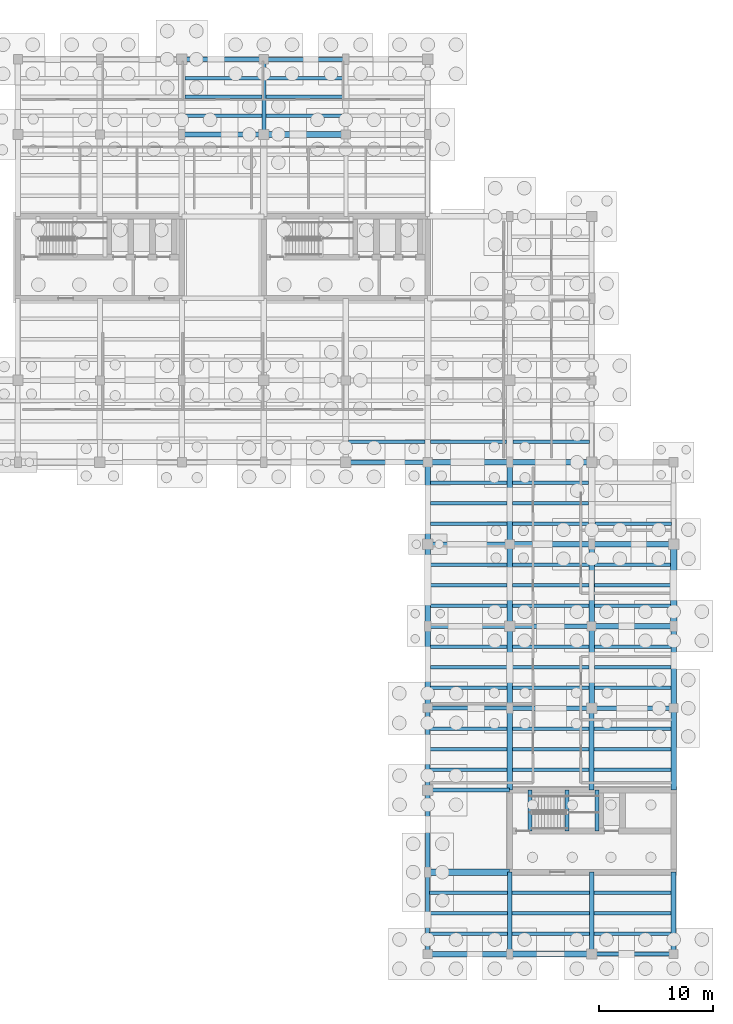
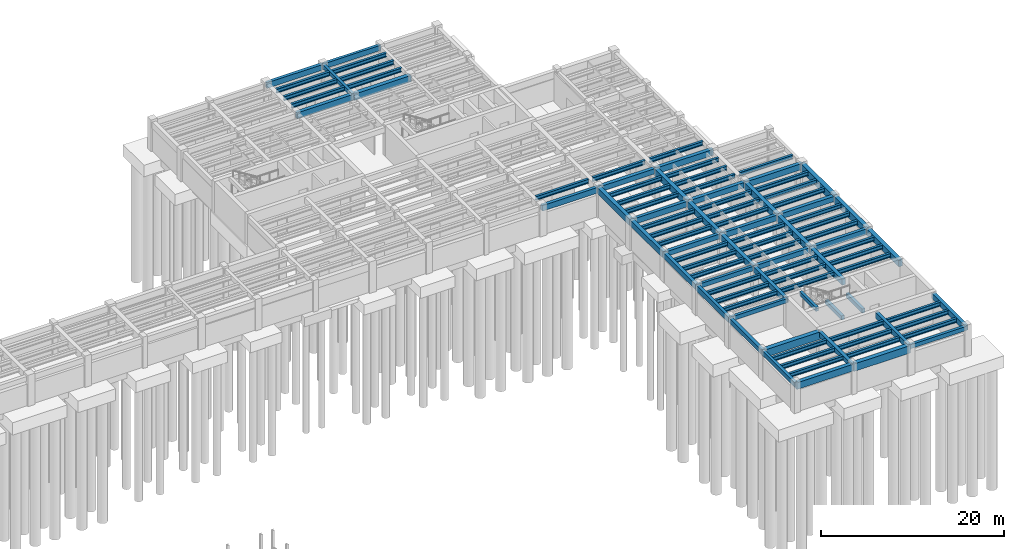
# One storey, part 9 of 22: 96 beams.
"""IFC4 building model written with IfcOpenShell, lengths in metres."""

from ifc_helpers import new_model, si_unit, direction, frame, origin, origin_2d, place, context, subcontext, project, spatial, rectangle, i_section, extrude, material, material_profile, profile_set, type_object, element, save


model = new_model("IFC4")

# Units and contexts
model_context = context("Model", 3, precision=1e-05, world=origin(), true_north=direction((0.0, 1.0)))
body_context = subcontext(model_context, "Body", "Model", "MODEL_VIEW")
ifc_project = project(units=[si_unit("LENGTHUNIT", "METRE"), si_unit("AREAUNIT", "SQUARE_METRE"), si_unit("VOLUMEUNIT", "CUBIC_METRE"), si_unit("PLANEANGLEUNIT", "RADIAN"), si_unit("MASSUNIT", "GRAM", prefix="KILO")], contexts=[model_context])

# Site, building, storey
site_placement = place(None, origin())
site = spatial("IfcSite", under=ifc_project, at=site_placement, CompositionType="ELEMENT")
building_placement = place(site_placement, origin())
building = spatial("IfcBuilding", under=site, at=building_placement, Name="Mithqara Police Headquarters", CompositionType="ELEMENT")
storey_placement = place(building_placement, frame((0.0, 0.0, -8.39990234375)))
storey = spatial("IfcBuildingStorey", under=building, at=storey_placement, Name="B2", CompositionType="ELEMENT", Elevation=-8.39990234375)

# Beams
ifc_material_1 = material(Name="Steel S355JR", Category="steel")
ifc_material_profile_1 = material_profile(ifc_material_1, i_section(OverallWidth=0.300048828125, OverallDepth=0.550048828125, WebThickness=0.014892578125, FlangeThickness=0.029052734375, FilletRadius=0.027099609375, at=origin_2d()), Name="HEB 550")
ifc_profile_set_1 = profile_set([ifc_material_profile_1], Name="Steel S355JR")
beam_type_1 = type_object("IfcBeamType", Name="BEAM HEB550", PredefinedType="BEAM", material=ifc_profile_set_1)
for number, where, z_axis, x_axis, name in (
    (1, (123.27490234375, 109.050048828125, 3.625), (1.0, 0.0, 0.0), (0.0, 1.0, 0.0), "B2 Composite Steel Joist 18-19/R.1"),
    (2, (123.27490234375, 110.699951171875, 3.625), (1.0, 0.0, 0.0), (0.0, 1.0, 0.0), "B2 Composite Steel Joist 18-19/R.2"),
    (3, (123.27490234375, 112.35009765625, 3.625), (1.0, 0.0, 0.0), (0.0, 1.0, 0.0), "B2 Composite Steel Joist 18-19/R.3"),
):
    element("IfcBeam", number, at=place(storey_placement, frame(where, z_axis=z_axis, x_axis=x_axis)), inside=storey, type_object=beam_type_1, Name=name, PredefinedType="BEAM", context=body_context, shape_type="SweptSolid", body=[
        extrude(i_section(OverallWidth=0.300048828125, OverallDepth=0.550048828125, WebThickness=0.014892578125, FlangeThickness=0.029052734375, FilletRadius=0.027099609375, at=origin_2d()), origin(), (0.0, 0.0, 1.0), 6.75),
    ])
for number, where, z_axis, x_axis, name in (
    (4, (130.375, 109.050048828125, 3.625), (1.0, 0.0, 0.0), (0.0, 1.0, 0.0), "B2 Composite Steel Joist 19-20/R.1"),
    (5, (130.375, 110.699951171875, 3.625), (1.0, 0.0, 0.0), (0.0, 1.0, 0.0), "B2 Composite Steel Joist 19-20/R.2"),
    (6, (130.375, 112.35009765625, 3.625), (1.0, 0.0, 0.0), (0.0, 1.0, 0.0), "B2 Composite Steel Joist 19-20/R.3"),
):
    element("IfcBeam", number, at=place(storey_placement, frame(where, z_axis=z_axis, x_axis=x_axis)), inside=storey, type_object=beam_type_1, Name=name, PredefinedType="BEAM", context=body_context, shape_type="SweptSolid", body=[
        extrude(i_section(OverallWidth=0.300048828125, OverallDepth=0.550048828125, WebThickness=0.014892578125, FlangeThickness=0.029052734375, FilletRadius=0.027099609375, at=origin_2d()), origin(), (0.0, 0.0, 1.0), 6.85009765625),
    ])
beam_1_placement = place(storey_placement, frame((137.64990234375, 80.39990234375, 3.625), z_axis=(1.0, 0.0, 0.0), x_axis=(0.0, 1.0, 0.0)))
element("IfcBeam", 7, at=beam_1_placement, inside=storey, type_object=beam_type_1, Name="B2 Composite Steel Joist 20-21/M.1", PredefinedType="BEAM", context=body_context, shape_type="SweptSolid", body=[
    extrude(i_section(OverallWidth=0.300048828125, OverallDepth=0.550048828125, WebThickness=0.014892578125, FlangeThickness=0.029052734375, FilletRadius=0.027099609375, at=origin_2d()), origin(), (0.0, 0.0, 1.0), 6.7001953125),
])
for number, where, z_axis, x_axis, name in (
    (8, (144.77490234375, 37.199951171875, 3.625), (1.0, 0.0, 0.0), (0.0, 1.0, 0.0), "B2 Composite Steel Joist 21-22/F.1"),
    (9, (144.77490234375, 39.0, 3.625), (1.0, 0.0, 0.0), (0.0, 1.0, 0.0), "B2 Composite Steel Joist 21-22/F.2"),
    (10, (144.77490234375, 40.800048828125, 3.625), (1.0, 0.0, 0.0), (0.0, 1.0, 0.0), "B2 Composite Steel Joist 21-22/F.3"),
):
    element("IfcBeam", number, at=place(storey_placement, frame(where, z_axis=z_axis, x_axis=x_axis)), inside=storey, type_object=beam_type_1, Name=name, PredefinedType="BEAM", context=body_context, shape_type="SweptSolid", body=[
        extrude(i_section(OverallWidth=0.300048828125, OverallDepth=0.550048828125, WebThickness=0.014892578125, FlangeThickness=0.029052734375, FilletRadius=0.027099609375, at=origin_2d()), origin(), (0.0, 0.0, 1.0), 6.8251953125),
    ])
for number, where, z_axis, x_axis, name in (
    (11, (144.800048828125, 51.60009765625, 3.625), (1.0, 0.0, 0.0), (0.0, 1.0, 0.0), "B2 Composite Steel Joist 21-22/H.1"),
    (12, (144.800048828125, 53.39990234375, 3.625), (1.0, 0.0, 0.0), (0.0, 1.0, 0.0), "B2 Composite Steel Joist 21-22/H.2"),
    (13, (144.800048828125, 55.199951171875, 3.625), (1.0, 0.0, 0.0), (0.0, 1.0, 0.0), "B2 Composite Steel Joist 21-22/H.3"),
):
    element("IfcBeam", number, at=place(storey_placement, frame(where, z_axis=z_axis, x_axis=x_axis)), inside=storey, type_object=beam_type_1, Name=name, PredefinedType="BEAM", context=body_context, shape_type="SweptSolid", body=[
        extrude(i_section(OverallWidth=0.300048828125, OverallDepth=0.550048828125, WebThickness=0.014892578125, FlangeThickness=0.029052734375, FilletRadius=0.027099609375, at=origin_2d()), origin(), (0.0, 0.0, 1.0), 6.77490234375),
    ])
for number, where, z_axis, x_axis, name in (
    (14, (144.824951171875, 58.800048828125, 3.625), (1.0, 0.0, 0.0), (0.0, 1.0, 0.0), "B2 Composite Steel Joist 21-22/J.1"),
    (15, (144.824951171875, 60.60009765625, 3.625), (1.0, 0.0, 0.0), (0.0, 1.0, 0.0), "B2 Composite Steel Joist 21-22/J.2"),
    (16, (144.824951171875, 62.39990234375, 3.625), (1.0, 0.0, 0.0), (0.0, 1.0, 0.0), "B2 Composite Steel Joist 21-22/J.3"),
):
    element("IfcBeam", number, at=place(storey_placement, frame(where, z_axis=z_axis, x_axis=x_axis)), inside=storey, type_object=beam_type_1, Name=name, PredefinedType="BEAM", context=body_context, shape_type="SweptSolid", body=[
        extrude(i_section(OverallWidth=0.300048828125, OverallDepth=0.550048828125, WebThickness=0.014892578125, FlangeThickness=0.029052734375, FilletRadius=0.027099609375, at=origin_2d()), origin(), (0.0, 0.0, 1.0), 6.75),
    ])
for number, where, z_axis, x_axis, name in (
    (17, (144.824951171875, 66.0, 3.625), (1.0, 0.0, 0.0), (0.0, 1.0, 0.0), "B2 Composite Steel Joist 21-22/K.1"),
    (18, (144.824951171875, 67.800048828125, 3.625), (1.0, 0.0, 0.0), (0.0, 1.0, 0.0), "B2 Composite Steel Joist 21-22/K.2"),
    (19, (144.824951171875, 69.60009765625, 3.625), (1.0, 0.0, 0.0), (0.0, 1.0, 0.0), "B2 Composite Steel Joist 21-22/K.3"),
):
    element("IfcBeam", number, at=place(storey_placement, frame(where, z_axis=z_axis, x_axis=x_axis)), inside=storey, type_object=beam_type_1, Name=name, PredefinedType="BEAM", context=body_context, shape_type="SweptSolid", body=[
        extrude(i_section(OverallWidth=0.300048828125, OverallDepth=0.550048828125, WebThickness=0.014892578125, FlangeThickness=0.029052734375, FilletRadius=0.027099609375, at=origin_2d()), origin(), (0.0, 0.0, 1.0), 6.72509765625),
    ])
for number, where, z_axis, x_axis, name in (
    (20, (144.85009765625, 73.199951171875, 3.625), (1.0, 0.0, 0.0), (0.0, 1.0, 0.0), "B2 Composite Steel Joist 21-22/L.1"),
    (21, (144.85009765625, 75.0, 3.625), (1.0, 0.0, 0.0), (0.0, 1.0, 0.0), "B2 Composite Steel Joist 21-22/L.2"),
    (22, (144.85009765625, 76.800048828125, 3.625), (1.0, 0.0, 0.0), (0.0, 1.0, 0.0), "B2 Composite Steel Joist 21-22/L.3"),
):
    element("IfcBeam", number, at=place(storey_placement, frame(where, z_axis=z_axis, x_axis=x_axis)), inside=storey, type_object=beam_type_1, Name=name, PredefinedType="BEAM", context=body_context, shape_type="SweptSolid", body=[
        extrude(i_section(OverallWidth=0.300048828125, OverallDepth=0.550048828125, WebThickness=0.014892578125, FlangeThickness=0.029052734375, FilletRadius=0.027099609375, at=origin_2d()), origin(), (0.0, 0.0, 1.0), 6.699951171875),
    ])
beam_2_placement = place(storey_placement, frame((144.85009765625, 80.39990234375, 3.625), z_axis=(1.0, 0.0, 0.0), x_axis=(0.0, 1.0, 0.0)))
element("IfcBeam", 23, at=beam_2_placement, inside=storey, type_object=beam_type_1, Name="B2 Composite Steel Joist 21-22/M.1", PredefinedType="BEAM", context=body_context, shape_type="SweptSolid", body=[
    extrude(i_section(OverallWidth=0.300048828125, OverallDepth=0.550048828125, WebThickness=0.014892578125, FlangeThickness=0.029052734375, FilletRadius=0.027099609375, at=origin_2d()), origin(), (0.0, 0.0, 1.0), 6.6748046875),
])
for number, where, z_axis, x_axis, name in (
    (24, (152.0, 37.199951171875, 3.625), (1.0, 0.0, 0.0), (0.0, 1.0, 0.0), "B2 Composite Steel Joist 22-23/F.1"),
    (25, (152.0, 39.0, 3.625), (1.0, 0.0, 0.0), (0.0, 1.0, 0.0), "B2 Composite Steel Joist 22-23/F.2"),
    (26, (152.0, 40.800048828125, 3.625), (1.0, 0.0, 0.0), (0.0, 1.0, 0.0), "B2 Composite Steel Joist 22-23/F.3"),
):
    element("IfcBeam", number, at=place(storey_placement, frame(where, z_axis=z_axis, x_axis=x_axis)), inside=storey, type_object=beam_type_1, Name=name, PredefinedType="BEAM", context=body_context, shape_type="SweptSolid", body=[
        extrude(i_section(OverallWidth=0.300048828125, OverallDepth=0.550048828125, WebThickness=0.014892578125, FlangeThickness=0.029052734375, FilletRadius=0.027099609375, at=origin_2d()), origin(), (0.0, 0.0, 1.0), 6.800048828125),
    ])
for number, where, z_axis, x_axis, name in (
    (27, (152.02490234375, 51.60009765625, 3.625), (1.0, 0.0, 0.0), (0.0, 1.0, 0.0), "B2 Composite Steel Joist 22-23/H.1"),
    (28, (152.02490234375, 53.39990234375, 3.625), (1.0, 0.0, 0.0), (0.0, 1.0, 0.0), "B2 Composite Steel Joist 22-23/H.2"),
    (29, (152.02490234375, 55.199951171875, 3.625), (1.0, 0.0, 0.0), (0.0, 1.0, 0.0), "B2 Composite Steel Joist 22-23/H.3"),
):
    element("IfcBeam", number, at=place(storey_placement, frame(where, z_axis=z_axis, x_axis=x_axis)), inside=storey, type_object=beam_type_1, Name=name, PredefinedType="BEAM", context=body_context, shape_type="SweptSolid", body=[
        extrude(i_section(OverallWidth=0.300048828125, OverallDepth=0.550048828125, WebThickness=0.014892578125, FlangeThickness=0.029052734375, FilletRadius=0.027099609375, at=origin_2d()), origin(), (0.0, 0.0, 1.0), 6.75),
    ])
for number, where, z_axis, x_axis, name in (
    (30, (152.02490234375, 58.800048828125, 3.625), (1.0, 0.0, 0.0), (0.0, 1.0, 0.0), "B2 Composite Steel Joist 22-23/J.1"),
    (31, (152.02490234375, 60.60009765625, 3.625), (1.0, 0.0, 0.0), (0.0, 1.0, 0.0), "B2 Composite Steel Joist 22-23/J.2"),
    (32, (152.02490234375, 62.39990234375, 3.625), (1.0, 0.0, 0.0), (0.0, 1.0, 0.0), "B2 Composite Steel Joist 22-23/J.3"),
):
    element("IfcBeam", number, at=place(storey_placement, frame(where, z_axis=z_axis, x_axis=x_axis)), inside=storey, type_object=beam_type_1, Name=name, PredefinedType="BEAM", context=body_context, shape_type="SweptSolid", body=[
        extrude(i_section(OverallWidth=0.300048828125, OverallDepth=0.550048828125, WebThickness=0.014892578125, FlangeThickness=0.029052734375, FilletRadius=0.027099609375, at=origin_2d()), origin(), (0.0, 0.0, 1.0), 6.72509765625),
    ])
for number, where, z_axis, x_axis, name in (
    (33, (152.050048828125, 66.0, 3.625), (1.0, 0.0, 0.0), (0.0, 1.0, 0.0), "B2 Composite Steel Joist 22-23/K.1"),
    (34, (152.050048828125, 67.800048828125, 3.625), (1.0, 0.0, 0.0), (0.0, 1.0, 0.0), "B2 Composite Steel Joist 22-23/K.2"),
    (35, (152.050048828125, 69.60009765625, 3.625), (1.0, 0.0, 0.0), (0.0, 1.0, 0.0), "B2 Composite Steel Joist 22-23/K.3"),
):
    element("IfcBeam", number, at=place(storey_placement, frame(where, z_axis=z_axis, x_axis=x_axis)), inside=storey, type_object=beam_type_1, Name=name, PredefinedType="BEAM", context=body_context, shape_type="SweptSolid", body=[
        extrude(i_section(OverallWidth=0.300048828125, OverallDepth=0.550048828125, WebThickness=0.014892578125, FlangeThickness=0.029052734375, FilletRadius=0.027099609375, at=origin_2d()), origin(), (0.0, 0.0, 1.0), 6.699951171875),
    ])
for number, where, z_axis, x_axis, name in (
    (36, (152.050048828125, 73.199951171875, 3.625), (1.0, 0.0, 0.0), (0.0, 1.0, 0.0), "B2 Composite Steel Joist 22-23/L.1"),
    (37, (152.050048828125, 75.0, 3.625), (1.0, 0.0, 0.0), (0.0, 1.0, 0.0), "B2 Composite Steel Joist 22-23/L.2"),
    (38, (152.050048828125, 76.800048828125, 3.625), (1.0, 0.0, 0.0), (0.0, 1.0, 0.0), "B2 Composite Steel Joist 22-23/L.3"),
):
    element("IfcBeam", number, at=place(storey_placement, frame(where, z_axis=z_axis, x_axis=x_axis)), inside=storey, type_object=beam_type_1, Name=name, PredefinedType="BEAM", context=body_context, shape_type="SweptSolid", body=[
        extrude(i_section(OverallWidth=0.300048828125, OverallDepth=0.550048828125, WebThickness=0.014892578125, FlangeThickness=0.029052734375, FilletRadius=0.027099609375, at=origin_2d()), origin(), (0.0, 0.0, 1.0), 6.675048828125),
    ])
beam_3_placement = place(storey_placement, frame((152.074951171875, 80.39990234375, 3.625), z_axis=(1.0, 0.0, 0.0), x_axis=(0.0, 1.0, 0.0)))
element("IfcBeam", 39, at=beam_3_placement, inside=storey, type_object=beam_type_1, Name="B2 Composite Steel Joist 22-23/M.1", PredefinedType="BEAM", context=body_context, shape_type="SweptSolid", body=[
    extrude(i_section(OverallWidth=0.300048828125, OverallDepth=0.550048828125, WebThickness=0.014892578125, FlangeThickness=0.029052734375, FilletRadius=0.027099609375, at=origin_2d()), origin(), (0.0, 0.0, 1.0), 6.75),
])
for number, where, z_axis, x_axis, name in (
    (40, (159.199951171875, 37.199951171875, 3.625), (1.0, 0.0, 0.0), (0.0, 1.0, 0.0), "B2 Composite Steel Joist 23-24/F.1"),
    (41, (159.199951171875, 39.0, 3.625), (1.0, 0.0, 0.0), (0.0, 1.0, 0.0), "B2 Composite Steel Joist 23-24/F.2"),
    (42, (159.199951171875, 40.800048828125, 3.625), (1.0, 0.0, 0.0), (0.0, 1.0, 0.0), "B2 Composite Steel Joist 23-24/F.3"),
):
    element("IfcBeam", number, at=place(storey_placement, frame(where, z_axis=z_axis, x_axis=x_axis)), inside=storey, type_object=beam_type_1, Name=name, PredefinedType="BEAM", context=body_context, shape_type="SweptSolid", body=[
        extrude(i_section(OverallWidth=0.300048828125, OverallDepth=0.550048828125, WebThickness=0.014892578125, FlangeThickness=0.029052734375, FilletRadius=0.027099609375, at=origin_2d()), origin(), (0.0, 0.0, 1.0), 6.775146484375),
    ])
for number, where, z_axis, x_axis, name in (
    (43, (159.22509765625, 51.60009765625, 3.625), (1.0, 0.0, 0.0), (0.0, 1.0, 0.0), "B2 Composite Steel Joist 23-24/H.1"),
    (44, (159.22509765625, 53.39990234375, 3.625), (1.0, 0.0, 0.0), (0.0, 1.0, 0.0), "B2 Composite Steel Joist 23-24/H.2"),
    (45, (159.22509765625, 55.199951171875, 3.625), (1.0, 0.0, 0.0), (0.0, 1.0, 0.0), "B2 Composite Steel Joist 23-24/H.3"),
):
    element("IfcBeam", number, at=place(storey_placement, frame(where, z_axis=z_axis, x_axis=x_axis)), inside=storey, type_object=beam_type_1, Name=name, PredefinedType="BEAM", context=body_context, shape_type="SweptSolid", body=[
        extrude(i_section(OverallWidth=0.300048828125, OverallDepth=0.550048828125, WebThickness=0.014892578125, FlangeThickness=0.029052734375, FilletRadius=0.027099609375, at=origin_2d()), origin(), (0.0, 0.0, 1.0), 6.724853515625),
    ])
for number, where, z_axis, x_axis, name in (
    (46, (159.25, 58.800048828125, 3.625), (1.0, 0.0, 0.0), (0.0, 1.0, 0.0), "B2 Composite Steel Joist 23-24/J.1"),
    (47, (159.25, 60.60009765625, 3.625), (1.0, 0.0, 0.0), (0.0, 1.0, 0.0), "B2 Composite Steel Joist 23-24/J.2"),
    (48, (159.25, 62.39990234375, 3.625), (1.0, 0.0, 0.0), (0.0, 1.0, 0.0), "B2 Composite Steel Joist 23-24/J.3"),
):
    element("IfcBeam", number, at=place(storey_placement, frame(where, z_axis=z_axis, x_axis=x_axis)), inside=storey, type_object=beam_type_1, Name=name, PredefinedType="BEAM", context=body_context, shape_type="SweptSolid", body=[
        extrude(i_section(OverallWidth=0.300048828125, OverallDepth=0.550048828125, WebThickness=0.014892578125, FlangeThickness=0.029052734375, FilletRadius=0.027099609375, at=origin_2d()), origin(), (0.0, 0.0, 1.0), 6.699951171875),
    ])
for number, where, z_axis, x_axis, name in (
    (49, (159.25, 66.0, 3.625), (1.0, 0.0, 0.0), (0.0, 1.0, 0.0), "B2 Composite Steel Joist 23-24/K.1"),
    (50, (159.25, 67.800048828125, 3.625), (1.0, 0.0, 0.0), (0.0, 1.0, 0.0), "B2 Composite Steel Joist 23-24/K.2"),
    (51, (159.25, 69.60009765625, 3.625), (1.0, 0.0, 0.0), (0.0, 1.0, 0.0), "B2 Composite Steel Joist 23-24/K.3"),
):
    element("IfcBeam", number, at=place(storey_placement, frame(where, z_axis=z_axis, x_axis=x_axis)), inside=storey, type_object=beam_type_1, Name=name, PredefinedType="BEAM", context=body_context, shape_type="SweptSolid", body=[
        extrude(i_section(OverallWidth=0.300048828125, OverallDepth=0.550048828125, WebThickness=0.014892578125, FlangeThickness=0.029052734375, FilletRadius=0.027099609375, at=origin_2d()), origin(), (0.0, 0.0, 1.0), 6.675048828125),
    ])
beam_4_placement = place(storey_placement, frame((159.27490234375, 73.199951171875, 3.625), z_axis=(1.0, 0.0, 0.0), x_axis=(0.0, 1.0, 0.0)))
element("IfcBeam", 52, at=beam_4_placement, inside=storey, type_object=beam_type_1, Name="B2 Composite Steel Joist 23-24/L.1", PredefinedType="BEAM", context=body_context, shape_type="SweptSolid", body=[
    extrude(i_section(OverallWidth=0.300048828125, OverallDepth=0.550048828125, WebThickness=0.014892578125, FlangeThickness=0.029052734375, FilletRadius=0.027099609375, at=origin_2d()), origin(), (0.0, 0.0, 1.0), 6.75),
])
ifc_material_2 = material(Name="Concrete C40/50", Category="concrete")
ifc_material_profile_2 = material_profile(ifc_material_2, rectangle(XDim=0.35009765625, YDim=0.550048828125, at=origin_2d()), Name="RC 350x550")
ifc_profile_set_2 = profile_set([ifc_material_profile_2], Name="Concrete C40/50")
beam_type_2 = type_object("IfcBeamType", Name="BEAM RC350X550", PredefinedType="BEAM", material=ifc_profile_set_2)
beam_5_placement = place(storey_placement, frame((130.199951171875, 107.39990234375, 3.625), z_axis=(0.0, 1.0, 0.0), x_axis=(-1.0, 0.0, 0.0)))
element("IfcBeam", 53, at=beam_5_placement, inside=storey, type_object=beam_type_2, Name="B2 Girder 19/R-S", PredefinedType="BEAM", context=body_context, shape_type="SweptSolid", body=[
    extrude(rectangle(XDim=0.35009765625, YDim=0.550048828125, at=origin_2d()), origin(), (0.0, 0.0, 1.0), 6.60009765625),
])
for number, where, z_axis, x_axis, name in (
    (54, (144.60009765625, 49.800048828125, 3.625), (1.0, 0.0, 0.0), (0.0, 1.0, 0.0), "B2 Girder 21-22/H"),
    (55, (159.0, 35.39990234375, 3.625), (1.0, 0.0, 0.0), (0.0, 1.0, 0.0), "B2 Girder 23-24/F"),
):
    element("IfcBeam", number, at=place(storey_placement, frame(where, z_axis=z_axis, x_axis=x_axis)), inside=storey, type_object=beam_type_2, Name=name, PredefinedType="BEAM", context=body_context, shape_type="SweptSolid", body=[
        extrude(rectangle(XDim=0.35009765625, YDim=0.550048828125, at=origin_2d()), origin(), (0.0, 0.0, 1.0), 7.199951171875),
    ])
for number, where, z_axis, x_axis, name in (
    (56, (156.830078125, 46.219970703125, 1.635009765625), (0.0, 1.0, 0.0), (-1.0, 0.0, 0.0), "B2 ST-04 Half-Landing Bearer LF"),
    (57, (159.449951171875, 46.219970703125, 1.635009765625), (0.0, 1.0, 0.0), (-1.0, 0.0, 0.0), "B2 ST-04 Half-Landing Bearer LB"),
    (58, (153.576904296875, 46.219970703125, 3.9248046875), (0.0, 1.0, 0.0), (-1.0, 0.0, 0.0), "B2 ST-04 Stairwell Trimmer Beam"),
):
    element("IfcBeam", number, at=place(storey_placement, frame(where, z_axis=z_axis, x_axis=x_axis)), inside=storey, type_object=beam_type_2, Name=name, PredefinedType="BEAM", context=body_context, shape_type="SweptSolid", body=[
        extrude(rectangle(XDim=0.35009765625, YDim=0.550048828125, at=origin_2d()), origin(), (0.0, 0.0, 1.0), 3.580078125),
    ])
ifc_material_profile_3 = material_profile(ifc_material_2, rectangle(XDim=0.35009765625, YDim=0.60009765625, at=origin_2d()), Name="RC 350x600")
ifc_profile_set_3 = profile_set([ifc_material_profile_3], Name="Concrete C40/50")
beam_type_3 = type_object("IfcBeamType", Name="BEAM RC350X600", PredefinedType="BEAM", material=ifc_profile_set_3)
beam_6_placement = place(storey_placement, frame((144.60009765625, 35.39990234375, 3.599853515625), z_axis=(0.0, 1.0, 0.0), x_axis=(-1.0, 0.0, 0.0)))
element("IfcBeam", 59, at=beam_6_placement, inside=storey, type_object=beam_type_3, Name="B2 Girder 21/F-G", PredefinedType="BEAM", context=body_context, shape_type="SweptSolid", body=[
    extrude(rectangle(XDim=0.35009765625, YDim=0.60009765625, at=origin_2d()), origin(), (0.0, 0.0, 1.0), 7.2001953125),
])
beam_7_placement = place(storey_placement, frame((144.60009765625, 57.0, 3.599853515625), z_axis=(1.0, 0.0, 0.0), x_axis=(0.0, 1.0, 0.0)))
element("IfcBeam", 60, at=beam_7_placement, inside=storey, type_object=beam_type_3, Name="B2 Girder 21-22/J", PredefinedType="BEAM", context=body_context, shape_type="SweptSolid", body=[
    extrude(rectangle(XDim=0.35009765625, YDim=0.60009765625, at=origin_2d()), origin(), (0.0, 0.0, 1.0), 7.199951171875),
])
ifc_material_profile_4 = material_profile(ifc_material_2, rectangle(XDim=0.39990234375, YDim=0.64990234375, at=origin_2d()), Name="RC 400x650")
ifc_profile_set_4 = profile_set([ifc_material_profile_4], Name="Concrete C40/50")
beam_type_4 = type_object("IfcBeamType", Name="BEAM RC400X650", PredefinedType="BEAM", material=ifc_profile_set_4)
for number, where, z_axis, x_axis, name in (
    (61, (144.60009765625, 42.60009765625, 3.574951171875), (0.0, 1.0, 0.0), (-1.0, 0.0, 0.0), "B2 Girder 21/G-H"),
    (62, (144.60009765625, 64.199951171875, 3.574951171875), (1.0, 0.0, 0.0), (0.0, 1.0, 0.0), "B2 Girder 21-22/K"),
):
    element("IfcBeam", number, at=place(storey_placement, frame(where, z_axis=z_axis, x_axis=x_axis)), inside=storey, type_object=beam_type_4, Name=name, PredefinedType="BEAM", context=body_context, shape_type="SweptSolid", body=[
        extrude(rectangle(XDim=0.39990234375, YDim=0.64990234375, at=origin_2d()), origin(), (0.0, 0.0, 1.0), 7.199951171875),
    ])
beam_8_placement = place(storey_placement, frame((151.800048828125, 35.39990234375, 3.574951171875), z_axis=(0.0, 1.0, 0.0), x_axis=(-1.0, 0.0, 0.0)))
element("IfcBeam", 63, at=beam_8_placement, inside=storey, type_object=beam_type_4, Name="B2 Girder 22/F-G", PredefinedType="BEAM", context=body_context, shape_type="SweptSolid", body=[
    extrude(rectangle(XDim=0.39990234375, YDim=0.64990234375, at=origin_2d()), origin(), (0.0, 0.0, 1.0), 7.2001953125),
])
beam_9_placement = place(storey_placement, frame((151.800048828125, 57.0, 3.574951171875), z_axis=(1.0, 0.0, 0.0), x_axis=(0.0, 1.0, 0.0)))
element("IfcBeam", 64, at=beam_9_placement, inside=storey, type_object=beam_type_4, Name="B2 Girder 22-23/J", PredefinedType="BEAM", context=body_context, shape_type="SweptSolid", body=[
    extrude(rectangle(XDim=0.39990234375, YDim=0.64990234375, at=origin_2d()), origin(), (0.0, 0.0, 1.0), 7.199951171875),
])
ifc_material_profile_5 = material_profile(ifc_material_2, rectangle(XDim=0.39990234375, YDim=0.75, at=origin_2d()), Name="RC 400x750")
ifc_profile_set_5 = profile_set([ifc_material_profile_5], Name="Concrete C40/50")
beam_type_5 = type_object("IfcBeamType", Name="BEAM RC400X750", PredefinedType="BEAM", material=ifc_profile_set_5)
beam_10_placement = place(storey_placement, frame((137.39990234375, 78.60009765625, 3.52490234375), z_axis=(1.0, 0.0, 0.0), x_axis=(0.0, 1.0, 0.0)))
element("IfcBeam", 65, at=beam_10_placement, inside=storey, type_object=beam_type_5, Name="B2 Girder 20-21/M", PredefinedType="BEAM", context=body_context, shape_type="SweptSolid", body=[
    extrude(rectangle(XDim=0.39990234375, YDim=0.75, at=origin_2d()), origin(), (0.0, 0.0, 1.0), 7.2001953125),
])
for number, where, z_axis, x_axis, name in (
    (66, (144.60009765625, 49.800048828125, 3.52490234375), (0.0, 1.0, 0.0), (-1.0, 0.0, 0.0), "B2 Girder 21/H-J"),
    (67, (144.60009765625, 71.39990234375, 3.52490234375), (1.0, 0.0, 0.0), (0.0, 1.0, 0.0), "B2 Girder 21-22/L"),
    (68, (151.800048828125, 64.199951171875, 3.52490234375), (1.0, 0.0, 0.0), (0.0, 1.0, 0.0), "B2 Girder 22-23/K"),
):
    element("IfcBeam", number, at=place(storey_placement, frame(where, z_axis=z_axis, x_axis=x_axis)), inside=storey, type_object=beam_type_5, Name=name, PredefinedType="BEAM", context=body_context, shape_type="SweptSolid", body=[
        extrude(rectangle(XDim=0.39990234375, YDim=0.75, at=origin_2d()), origin(), (0.0, 0.0, 1.0), 7.199951171875),
    ])
beam_11_placement = place(storey_placement, frame((159.0, 35.39990234375, 3.52490234375), z_axis=(0.0, 1.0, 0.0), x_axis=(-1.0, 0.0, 0.0)))
element("IfcBeam", 69, at=beam_11_placement, inside=storey, type_object=beam_type_5, Name="B2 Girder 23/F-G", PredefinedType="BEAM", context=body_context, shape_type="SweptSolid", body=[
    extrude(rectangle(XDim=0.39990234375, YDim=0.75, at=origin_2d()), origin(), (0.0, 0.0, 1.0), 7.2001953125),
])
beam_12_placement = place(storey_placement, frame((159.0, 57.0, 3.52490234375), z_axis=(1.0, 0.0, 0.0), x_axis=(0.0, 1.0, 0.0)))
element("IfcBeam", 70, at=beam_12_placement, inside=storey, type_object=beam_type_5, Name="B2 Girder 23-24/J", PredefinedType="BEAM", context=body_context, shape_type="SweptSolid", body=[
    extrude(rectangle(XDim=0.39990234375, YDim=0.75, at=origin_2d()), origin(), (0.0, 0.0, 1.0), 7.199951171875),
])
ifc_material_profile_6 = material_profile(ifc_material_2, rectangle(XDim=0.449951171875, YDim=0.699951171875, at=origin_2d()), Name="RC 450x700")
ifc_profile_set_6 = profile_set([ifc_material_profile_6], Name="Concrete C40/50")
beam_type_6 = type_object("IfcBeamType", Name="BEAM RC450X700", PredefinedType="BEAM", material=ifc_profile_set_6)
for number, where, z_axis, x_axis, name in (
    (71, (144.60009765625, 57.0, 3.5498046875), (0.0, 1.0, 0.0), (-1.0, 0.0, 0.0), "B2 Girder 21/J-K"),
    (72, (144.60009765625, 78.60009765625, 3.5498046875), (1.0, 0.0, 0.0), (0.0, 1.0, 0.0), "B2 Girder 21-22/M"),
    (73, (151.800048828125, 49.800048828125, 3.5498046875), (0.0, 1.0, 0.0), (-1.0, 0.0, 0.0), "B2 Girder 22/H-J"),
    (74, (151.800048828125, 71.39990234375, 3.5498046875), (1.0, 0.0, 0.0), (0.0, 1.0, 0.0), "B2 Girder 22-23/L"),
    (75, (159.0, 64.199951171875, 3.5498046875), (1.0, 0.0, 0.0), (0.0, 1.0, 0.0), "B2 Girder 23-24/K"),
):
    element("IfcBeam", number, at=place(storey_placement, frame(where, z_axis=z_axis, x_axis=x_axis)), inside=storey, type_object=beam_type_6, Name=name, PredefinedType="BEAM", context=body_context, shape_type="SweptSolid", body=[
        extrude(rectangle(XDim=0.449951171875, YDim=0.699951171875, at=origin_2d()), origin(), (0.0, 0.0, 1.0), 7.199951171875),
    ])
beam_13_placement = place(storey_placement, frame((166.199951171875, 35.39990234375, 3.5498046875), z_axis=(0.0, 1.0, 0.0), x_axis=(-1.0, 0.0, 0.0)))
element("IfcBeam", 76, at=beam_13_placement, inside=storey, type_object=beam_type_6, Name="B2 Girder 24/F-G", PredefinedType="BEAM", context=body_context, shape_type="SweptSolid", body=[
    extrude(rectangle(XDim=0.449951171875, YDim=0.699951171875, at=origin_2d()), origin(), (0.0, 0.0, 1.0), 7.2001953125),
])
ifc_material_profile_7 = material_profile(ifc_material_2, rectangle(XDim=0.449951171875, YDim=0.800048828125, at=origin_2d()), Name="RC 450x800")
ifc_profile_set_7 = profile_set([ifc_material_profile_7], Name="Concrete C40/50")
beam_type_7 = type_object("IfcBeamType", Name="BEAM RC450X800", PredefinedType="BEAM", material=ifc_profile_set_7)
for number, where, z_axis, x_axis, name in (
    (77, (123.0, 107.39990234375, 3.5), (1.0, 0.0, 0.0), (0.0, 1.0, 0.0), "B2 Girder 18-19/R"),
    (78, (144.60009765625, 64.199951171875, 3.5), (0.0, 1.0, 0.0), (-1.0, 0.0, 0.0), "B2 Girder 21/K-L"),
    (79, (151.800048828125, 57.0, 3.5), (0.0, 1.0, 0.0), (-1.0, 0.0, 0.0), "B2 Girder 22/J-K"),
    (80, (151.800048828125, 78.60009765625, 3.5), (1.0, 0.0, 0.0), (0.0, 1.0, 0.0), "B2 Girder 22-23/M"),
    (81, (159.0, 49.800048828125, 3.5), (0.0, 1.0, 0.0), (-1.0, 0.0, 0.0), "B2 Girder 23/H-J"),
    (82, (159.0, 71.39990234375, 3.5), (1.0, 0.0, 0.0), (0.0, 1.0, 0.0), "B2 Girder 23-24/L"),
):
    element("IfcBeam", number, at=place(storey_placement, frame(where, z_axis=z_axis, x_axis=x_axis)), inside=storey, type_object=beam_type_7, Name=name, PredefinedType="BEAM", context=body_context, shape_type="SweptSolid", body=[
        extrude(rectangle(XDim=0.449951171875, YDim=0.800048828125, at=origin_2d()), origin(), (0.0, 0.0, 1.0), 7.199951171875),
    ])
ifc_material_profile_8 = material_profile(ifc_material_2, rectangle(XDim=0.5, YDim=0.85009765625, at=origin_2d()), Name="RC 500x850")
ifc_profile_set_8 = profile_set([ifc_material_profile_8], Name="Concrete C40/50")
beam_type_8 = type_object("IfcBeamType", Name="BEAM RC500X850", PredefinedType="BEAM", material=ifc_profile_set_8)
beam_14_placement = place(storey_placement, frame((130.199951171875, 107.39990234375, 3.474853515625), z_axis=(1.0, 0.0, 0.0), x_axis=(0.0, 1.0, 0.0)))
element("IfcBeam", 83, at=beam_14_placement, inside=storey, type_object=beam_type_8, Name="B2 Girder 19-20/R", PredefinedType="BEAM", context=body_context, shape_type="SweptSolid", body=[
    extrude(rectangle(XDim=0.5, YDim=0.85009765625, at=origin_2d()), origin(), (0.0, 0.0, 1.0), 7.199951171875),
])
beam_15_placement = place(storey_placement, frame((144.60009765625, 71.39990234375, 3.474853515625), z_axis=(0.0, 1.0, 0.0), x_axis=(-1.0, 0.0, 0.0)))
element("IfcBeam", 84, at=beam_15_placement, inside=storey, type_object=beam_type_8, Name="B2 Girder 21/L-M", PredefinedType="BEAM", context=body_context, shape_type="SweptSolid", body=[
    extrude(rectangle(XDim=0.5, YDim=0.85009765625, at=origin_2d()), origin(), (0.0, 0.0, 1.0), 7.2001953125),
])
for number, where, z_axis, x_axis, name in (
    (85, (151.800048828125, 64.199951171875, 3.474853515625), (0.0, 1.0, 0.0), (-1.0, 0.0, 0.0), "B2 Girder 22/K-L"),
    (86, (159.0, 57.0, 3.474853515625), (0.0, 1.0, 0.0), (-1.0, 0.0, 0.0), "B2 Girder 23/J-K"),
    (87, (166.199951171875, 49.800048828125, 3.474853515625), (0.0, 1.0, 0.0), (-1.0, 0.0, 0.0), "B2 Girder 24/H-J"),
):
    element("IfcBeam", number, at=place(storey_placement, frame(where, z_axis=z_axis, x_axis=x_axis)), inside=storey, type_object=beam_type_8, Name=name, PredefinedType="BEAM", context=body_context, shape_type="SweptSolid", body=[
        extrude(rectangle(XDim=0.5, YDim=0.85009765625, at=origin_2d()), origin(), (0.0, 0.0, 1.0), 7.199951171875),
    ])
ifc_material_3 = material(Name="Concrete C50/60", Category="concrete")
ifc_material_profile_9 = material_profile(ifc_material_3, rectangle(XDim=0.5, YDim=0.89990234375, at=origin_2d()), Name="RC 500x900")
ifc_profile_set_9 = profile_set([ifc_material_profile_9], Name="Concrete C50/60")
beam_type_9 = type_object("IfcBeamType", Name="BEAM RC500X900", PredefinedType="BEAM", material=ifc_profile_set_9)
beam_16_placement = place(storey_placement, frame((144.60009765625, 35.39990234375, 3.449951171875), z_axis=(1.0, 0.0, 0.0), x_axis=(0.0, 1.0, 0.0)))
element("IfcBeam", 88, at=beam_16_placement, inside=storey, type_object=beam_type_9, Name="B2 Girder 21-22/F", PredefinedType="BEAM", context=body_context, shape_type="SweptSolid", body=[
    extrude(rectangle(XDim=0.5, YDim=0.89990234375, at=origin_2d()), origin(), (0.0, 0.0, 1.0), 7.199951171875),
])
beam_17_placement = place(storey_placement, frame((151.800048828125, 71.39990234375, 3.449951171875), z_axis=(0.0, 1.0, 0.0), x_axis=(-1.0, 0.0, 0.0)))
element("IfcBeam", 89, at=beam_17_placement, inside=storey, type_object=beam_type_9, Name="B2 Girder 22/L-M", PredefinedType="BEAM", context=body_context, shape_type="SweptSolid", body=[
    extrude(rectangle(XDim=0.5, YDim=0.89990234375, at=origin_2d()), origin(), (0.0, 0.0, 1.0), 7.2001953125),
])
for number, where, z_axis, x_axis, name in (
    (90, (159.0, 64.199951171875, 3.449951171875), (0.0, 1.0, 0.0), (-1.0, 0.0, 0.0), "B2 Girder 23/K-L"),
    (91, (166.199951171875, 57.0, 3.449951171875), (0.0, 1.0, 0.0), (-1.0, 0.0, 0.0), "B2 Girder 24/J-K"),
):
    element("IfcBeam", number, at=place(storey_placement, frame(where, z_axis=z_axis, x_axis=x_axis)), inside=storey, type_object=beam_type_9, Name=name, PredefinedType="BEAM", context=body_context, shape_type="SweptSolid", body=[
        extrude(rectangle(XDim=0.5, YDim=0.89990234375, at=origin_2d()), origin(), (0.0, 0.0, 1.0), 7.199951171875),
    ])
ifc_material_profile_10 = material_profile(ifc_material_3, rectangle(XDim=0.550048828125, YDim=1.0, at=origin_2d()), Name="RC 550x1000")
ifc_profile_set_10 = profile_set([ifc_material_profile_10], Name="Concrete C50/60")
beam_type_10 = type_object("IfcBeamType", Name="BEAM RC550X1000", PredefinedType="BEAM", material=ifc_profile_set_10)
for number, where, z_axis, x_axis, name in (
    (92, (144.60009765625, 42.60009765625, 3.39990234375), (1.0, 0.0, 0.0), (0.0, 1.0, 0.0), "B2 Girder 21-22/G"),
    (93, (151.800048828125, 35.39990234375, 3.39990234375), (1.0, 0.0, 0.0), (0.0, 1.0, 0.0), "B2 Girder 22-23/F"),
    (94, (166.199951171875, 64.199951171875, 3.39990234375), (0.0, 1.0, 0.0), (-1.0, 0.0, 0.0), "B2 Girder 24/K-L"),
):
    element("IfcBeam", number, at=place(storey_placement, frame(where, z_axis=z_axis, x_axis=x_axis)), inside=storey, type_object=beam_type_10, Name=name, PredefinedType="BEAM", context=body_context, shape_type="SweptSolid", body=[
        extrude(rectangle(XDim=0.550048828125, YDim=1.0, at=origin_2d()), origin(), (0.0, 0.0, 1.0), 7.199951171875),
    ])
ifc_material_profile_11 = material_profile(ifc_material_2, rectangle(XDim=0.35009765625, YDim=0.699951171875, at=origin_2d()), Name="SPB 350x700")
ifc_profile_set_11 = profile_set([ifc_material_profile_11], Name="Concrete C40/50")
beam_type_11 = type_object("IfcBeamType", Name="SPANDREL 350X700", PredefinedType="SPANDREL", material=ifc_profile_set_11)
beam_18_placement = place(storey_placement, frame((130.199951171875, 114.0, 3.5498046875), z_axis=(1.0, 0.0, 0.0), x_axis=(0.0, 1.0, 0.0)))
element("IfcBeam", 95, at=beam_18_placement, inside=storey, type_object=beam_type_11, Name="B2 Girder 19-20/S", PredefinedType="SPANDREL", context=body_context, shape_type="SweptSolid", body=[
    extrude(rectangle(XDim=0.35009765625, YDim=0.699951171875, at=origin_2d()), origin(), (0.0, 0.0, 1.0), 7.199951171875),
])
ifc_material_profile_12 = material_profile(ifc_material_2, rectangle(XDim=0.39990234375, YDim=0.75, at=origin_2d()), Name="SPB 400x750")
ifc_profile_set_12 = profile_set([ifc_material_profile_12], Name="Concrete C40/50")
beam_type_12 = type_object("IfcBeamType", Name="SPANDREL 400X750", PredefinedType="SPANDREL", material=ifc_profile_set_12)
beam_19_placement = place(storey_placement, frame((123.0, 114.0, 3.52490234375), z_axis=(1.0, 0.0, 0.0), x_axis=(0.0, 1.0, 0.0)))
element("IfcBeam", 96, at=beam_19_placement, inside=storey, type_object=beam_type_12, Name="B2 Girder 18-19/S", PredefinedType="SPANDREL", context=body_context, shape_type="SweptSolid", body=[
    extrude(rectangle(XDim=0.39990234375, YDim=0.75, at=origin_2d()), origin(), (0.0, 0.0, 1.0), 7.199951171875),
])

save(model, "model.ifc")
